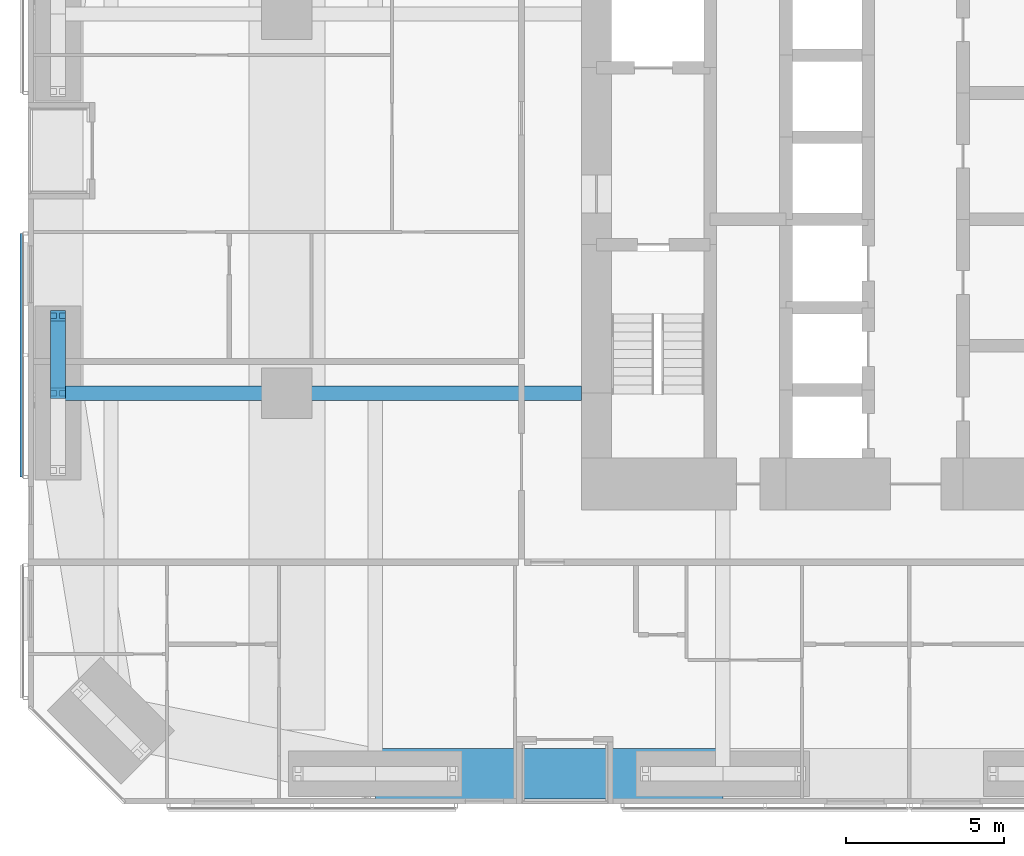
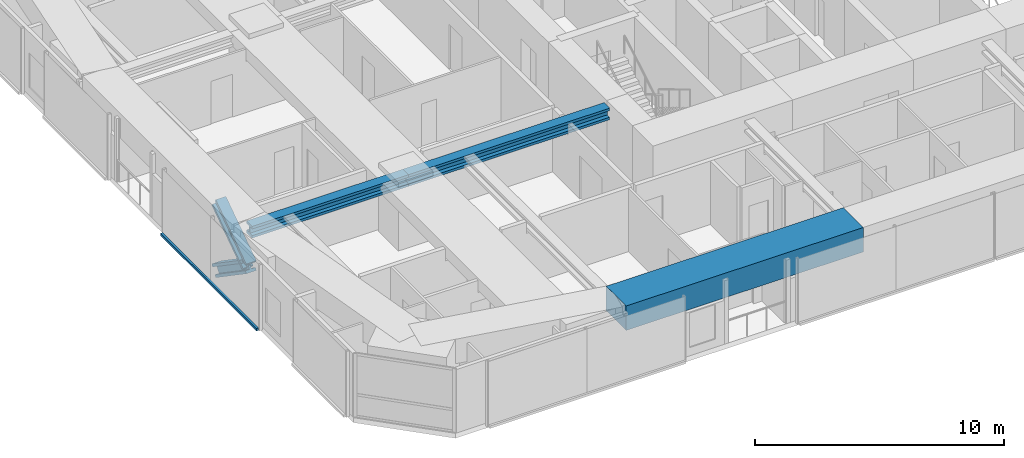
# One storey, part 3 of 22: 3 beams, 3 members, 1 element without a shape of its own.
"""IFC4 building model written with IfcOpenShell, lengths in metres."""

from ifc_helpers import new_model, si_unit, direction, frame, origin, origin_2d, place, context, subcontext, project, spatial, rectangle, i_section, extrude, material, material_profile, profile_set, type_object, element, aggregate, save


model = new_model("IFC4")

# Units and contexts
model_context = context("Model", 3, precision=1e-05, world=origin(), true_north=direction((0.0, 1.0)))
body_context = subcontext(model_context, "Body", "Model", "MODEL_VIEW")
ifc_project = project(units=[si_unit("LENGTHUNIT", "METRE"), si_unit("AREAUNIT", "SQUARE_METRE"), si_unit("VOLUMEUNIT", "CUBIC_METRE"), si_unit("PLANEANGLEUNIT", "RADIAN"), si_unit("MASSUNIT", "GRAM", prefix="KILO")], contexts=[model_context])

# Site, building, storey
site_placement = place(None, origin())
site = spatial("IfcSite", under=ifc_project, at=site_placement, CompositionType="ELEMENT")
building_placement = place(site_placement, origin())
building = spatial("IfcBuilding", under=site, at=building_placement, Name="Jalousie Tower", CompositionType="ELEMENT")
storey_placement = place(building_placement, frame((0.0, 0.0, 64.550048828125)))
storey = spatial("IfcBuildingStorey", under=building, at=storey_placement, Name="L17", CompositionType="ELEMENT", Elevation=64.550048828125)

# Beams
ifc_material_1 = material(Name="Steel ASTM A992 Grade 50", Category="steel")
ifc_material_profile_1 = material_profile(ifc_material_1, i_section(OverallWidth=0.45458984375, OverallDepth=0.569091796875, WebThickness=0.077880859375, FlangeThickness=0.124755859375, at=origin_2d()), Name="W14X730")
ifc_profile_set_1 = profile_set([ifc_material_profile_1], Name="Steel ASTM A992 Grade 50")
beam_type_1 = type_object("IfcBeamType", Name="LEAN COLLECTOR W14X730", PredefinedType="BEAM", material=ifc_profile_set_1)
beam_1_placement = place(storey_placement, frame((2.949951171875, 13.0, 2.825439453125), z_axis=(1.0, 0.0, 0.0), x_axis=(0.0, 1.0, 0.0)))
element("IfcBeam", 1, at=beam_1_placement, inside=storey, type_object=beam_type_1, Name="Lean collector under L18", PredefinedType="BEAM", context=body_context, shape_type="SweptSolid", body=[
    extrude(i_section(OverallWidth=0.45458984375, OverallDepth=0.569091796875, WebThickness=0.077880859375, FlangeThickness=0.124755859375, at=origin_2d()), origin(), (0.0, 0.0, 1.0), 7.25),
])
beam_2_placement = place(storey_placement, frame((10.199951171875, 13.0, 2.825439453125), z_axis=(1.0, 0.0, 0.0), x_axis=(0.0, 1.0, 0.0)))
element("IfcBeam", 2, at=beam_2_placement, inside=storey, type_object=beam_type_1, Name="Lean collector under L18", PredefinedType="BEAM", context=body_context, shape_type="SweptSolid", body=[
    extrude(i_section(OverallWidth=0.45458984375, OverallDepth=0.569091796875, WebThickness=0.077880859375, FlangeThickness=0.124755859375, at=origin_2d()), origin(), (0.0, 0.0, 1.0), 9.324951171875),
])

# Members
ifc_material_2 = material(Name="Steel ASTM A992 Grade 50", Category="steel")
ifc_material_profile_2 = material_profile(ifc_material_2, i_section(OverallWidth=0.472412109375, OverallDepth=0.5791015625, WebThickness=0.094970703125, FlangeThickness=0.1298828125, at=origin_2d()), Name="W14X808")
ifc_profile_set_2 = profile_set([ifc_material_profile_2], Name="Steel ASTM A992 Grade 50")
member_type_1 = type_object("IfcMemberType", Name="PERIMETER BRACE W14X808", PredefinedType="BRACE", material=ifc_profile_set_2)
for number, where, z_axis, x_axis, name in (
    (3, (2.949951171875, 13.0, 1.074951171875), (0.0, 0.825500916831, 0.564400776321), (-1.0, 0.0, 0.0), "Perimeter brace 14 L17 part 2"),
    (4, (2.949951171875, 15.449951171875, -0.60009765625), (0.0, -0.825500916831, 0.564400776321), (1.0, 0.0, 0.0), "Perimeter brace 14 L17 part 3"),
):
    element("IfcMember", number, at=place(storey_placement, frame(where, z_axis=z_axis, x_axis=x_axis)), inside=storey, type_object=member_type_1, Name=name, PredefinedType="BRACE", context=body_context, shape_type="SweptSolid", body=[
        extrude(i_section(OverallWidth=0.472412109375, OverallDepth=0.5791015625, WebThickness=0.094970703125, FlangeThickness=0.1298828125, at=origin_2d()), origin(), (0.0, 0.0, 1.0), 2.9677734375),
    ])

# Beam
ifc_material_3 = material(Name="Concrete f'c 40 MPa", Category="concrete")
ifc_material_profile_3 = material_profile(ifc_material_3, rectangle(XDim=1.60009765625, YDim=1.199951171875, at=origin_2d()), Name="RC 1600x1200")
ifc_profile_set_3 = profile_set([ifc_material_profile_3], Name="Concrete f'c 40 MPa")
beam_type_2 = type_object("IfcBeamType", Name="RC BEAM 1600x1200", PredefinedType="BEAM", material=ifc_profile_set_3)
beam_3_placement = place(storey_placement, frame((13.0, 0.949951171875, 2.75), z_axis=(1.0, 0.0, 0.0), x_axis=(0.0, 1.0, 0.0)))
element("IfcBeam", 5, at=beam_3_placement, inside=storey, type_object=beam_type_2, Name="Edge band beam 02-03 under L18", PredefinedType="BEAM", context=body_context, shape_type="SweptSolid", body=[
    extrude(rectangle(XDim=1.60009765625, YDim=1.199951171875, at=origin_2d()), origin(), (0.0, 0.0, 1.0), 11.0),
])

# Curtain wall, member
ifc_material_4 = material(Name="Perforated aluminium sheet", Category="aluminium")
curtain_wall_type = type_object("IfcCurtainWallType", Name="SOLAR SCREEN SS-1", PredefinedType="USERDEFINED", material=ifc_material_4)
curtain_wall_placement = place(storey_placement, origin())
curtain_wall = element("IfcCurtainWall", 6, at=curtain_wall_placement, inside=storey, type_object=curtain_wall_type, Name="Solar screen L17", ObjectType="SOLAR SCREEN SS-1", PredefinedType="USERDEFINED")
ifc_material_5 = material(Name="Extruded aluminium screen rail", Category="aluminium")
ifc_material_profile_4 = material_profile(ifc_material_5, rectangle(XDim=0.1015625, YDim=0.1201171875, at=origin_2d()), Name="RAIL 102x120")
ifc_profile_set_4 = profile_set([ifc_material_profile_4], Name="Extruded aluminium screen rail")
member_type_2 = type_object("IfcMemberType", Name="SOLAR SCREEN SS-1 TRANSOM", PredefinedType="USERDEFINED", material=ifc_profile_set_4)
member_placement = place(storey_placement, frame((1.8017578125, 18.050048828125, -0.06005859375), z_axis=(0.0, -1.0, 0.0), x_axis=(1.0, 0.0, 0.0)))
member = element("IfcMember", 7, at=member_placement, type_object=member_type_2, Name="SS1 rail", ObjectType="TRANSOM", PredefinedType="USERDEFINED", context=body_context, shape_type="SweptSolid", body=[
    extrude(rectangle(XDim=0.1015625, YDim=0.1201171875, at=origin_2d()), origin(), (0.0, 0.0, 1.0), 7.706298828125),
])
aggregate(curtain_wall, [member])

save(model, "model.ifc")
